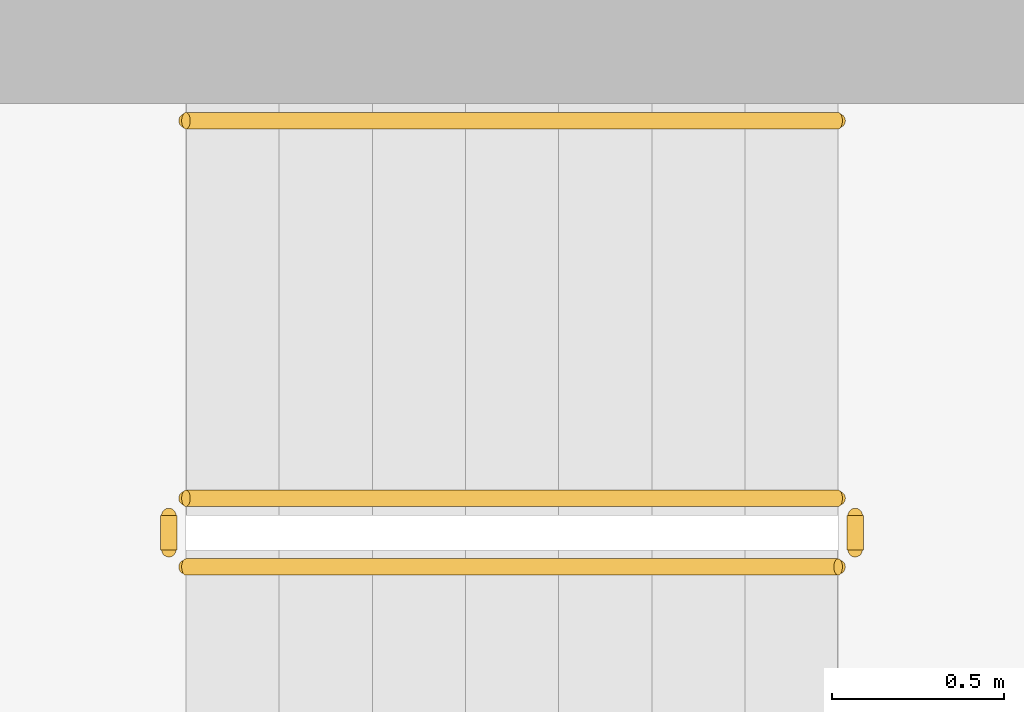
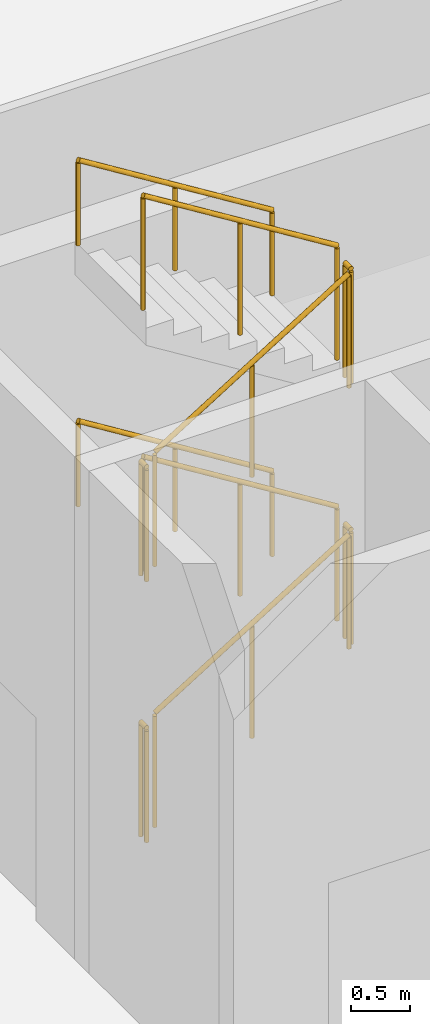
# One storey, part 13 of 16: 10 railings.
"""IFC4 building model written with IfcOpenShell, lengths in metres."""

from ifc_helpers import new_model, si_unit, direction, frame, origin, origin_2d, place, context, subcontext, project, spatial, circle, extrude, material, type_object, element, save


model = new_model("IFC4")

# Units and contexts
model_context = context("Model", 3, precision=1e-05, world=origin(), true_north=direction((0.0, 1.0)))
body_context = subcontext(model_context, "Body", "Model", "MODEL_VIEW")
ifc_project = project(units=[si_unit("LENGTHUNIT", "METRE"), si_unit("AREAUNIT", "SQUARE_METRE"), si_unit("VOLUMEUNIT", "CUBIC_METRE"), si_unit("PLANEANGLEUNIT", "RADIAN"), si_unit("MASSUNIT", "GRAM", prefix="KILO")], contexts=[model_context])

# Site, building, storey
site_placement = place(None, origin())
site = spatial("IfcSite", under=ifc_project, at=site_placement, CompositionType="ELEMENT")
building_placement = place(site_placement, origin())
building = spatial("IfcBuilding", under=site, at=building_placement, Name="Sahrelin Media Tower", CompositionType="ELEMENT")
storey_placement = place(building_placement, frame((0.0, 0.0, 324.39990234375)))
storey = spatial("IfcBuildingStorey", under=building, at=storey_placement, Name="L72", CompositionType="ELEMENT", Elevation=324.39990234375)

# Railings
ifc_material = material(Name="Steel S355", Category="steel")
railing_type_1 = type_object("IfcRailingType", Name="Stair guard 1200", PredefinedType="GUARDRAIL", material=ifc_material)
railing_1_placement = place(storey_placement, frame((-7.675048828125, 5.25, 0.1689453125)))
element("IfcRailing", 1, at=railing_1_placement, inside=storey, type_object=railing_type_1, Name="L72 ST1 stair guard 1", PredefinedType="GUARDRAIL", context=body_context, shape_type="SweptSolid", body=[
    extrude(circle(Radius=0.02392578125, at=origin_2d()), frame((0.0, 0.0, 1.17578125), z_axis=(0.849289292259, 0.0, 0.527927739425), x_axis=(0.0, 1.0, 0.0)), (0.0, 0.0, 1.0), 2.2373046875),
    extrude(circle(Radius=0.02099609375, at=origin_2d()), origin(), (0.0, 0.0, 1.0), 1.15185546875),
    extrude(circle(Radius=0.02099609375, at=origin_2d()), frame((0.9501953125, 0.0, 0.590576171875)), (0.0, 0.0, 1.0), 1.15185546875),
    extrude(circle(Radius=0.02099609375, at=origin_2d()), frame((1.900146484375, 0.0, 1.18115234375)), (0.0, 0.0, 1.0), 1.15185546875),
])
railing_2_placement = place(storey_placement, frame((-5.72509765625, 5.300048828125, 1.35009765625)))
element("IfcRailing", 2, at=railing_2_placement, inside=storey, type_object=railing_type_1, Name="L72 ST1 stair guard 2", PredefinedType="GUARDRAIL", context=body_context, shape_type="SweptSolid", body=[
    extrude(circle(Radius=0.02392578125, at=origin_2d()), frame((0.0, 0.0, 1.17578125), z_axis=(0.0, 1.0, 0.0), x_axis=(-1.0, 0.0, 0.0)), (0.0, 0.0, 1.0), 0.099853515625),
    extrude(circle(Radius=0.02099609375, at=origin_2d()), origin(), (0.0, 0.0, 1.0), 1.15185546875),
    extrude(circle(Radius=0.02099609375, at=origin_2d()), frame((0.0, 0.099853515625, 0.0)), (0.0, 0.0, 1.0), 1.15185546875),
])
railing_3_placement = place(storey_placement, frame((-5.77490234375, 5.449951171875, 1.518798828125)))
element("IfcRailing", 3, at=railing_3_placement, inside=storey, type_object=railing_type_1, Name="L72 ST1 stair guard 3", PredefinedType="GUARDRAIL", context=body_context, shape_type="SweptSolid", body=[
    extrude(circle(Radius=0.02392578125, at=origin_2d()), frame((0.0, 0.0, 1.17578125), z_axis=(-0.849240365539, 0.0, 0.528006440812), x_axis=(0.0, -1.0, 0.0)), (0.0, 0.0, 1.0), 2.237548828125),
    extrude(circle(Radius=0.02099609375, at=origin_2d()), origin(), (0.0, 0.0, 1.0), 1.15185546875),
    extrude(circle(Radius=0.02099609375, at=origin_2d()), frame((-0.9501953125, 0.0, 0.5908203125)), (0.0, 0.0, 1.0), 1.15185546875),
    extrude(circle(Radius=0.02099609375, at=origin_2d()), frame((-1.900146484375, 0.0, 1.181396484375)), (0.0, 0.0, 1.0), 1.15185546875),
])
railing_4_placement = place(storey_placement, frame((-7.72509765625, 5.300048828125, 2.7001953125)))
element("IfcRailing", 4, at=railing_4_placement, inside=storey, type_object=railing_type_1, Name="L72 ST1 stair guard 4", PredefinedType="GUARDRAIL", context=body_context, shape_type="SweptSolid", body=[
    extrude(circle(Radius=0.02392578125, at=origin_2d()), frame((0.0, 0.0, 1.17578125), z_axis=(0.0, 1.0, 0.0), x_axis=(-1.0, 0.0, 0.0)), (0.0, 0.0, 1.0), 0.099853515625),
    extrude(circle(Radius=0.02099609375, at=origin_2d()), origin(), (0.0, 0.0, 1.0), 1.15185546875),
    extrude(circle(Radius=0.02099609375, at=origin_2d()), frame((0.0, 0.099853515625, 0.0)), (0.0, 0.0, 1.0), 1.15185546875),
])
railing_5_placement = place(storey_placement, frame((-7.675048828125, 5.25, 2.868896484375)))
element("IfcRailing", 5, at=railing_5_placement, inside=storey, type_object=railing_type_1, Name="L72 ST1 stair guard 5", PredefinedType="GUARDRAIL", context=body_context, shape_type="SweptSolid", body=[
    extrude(circle(Radius=0.02392578125, at=origin_2d()), frame((0.0, 0.0, 1.17578125), z_axis=(0.849289292259, 0.0, 0.527927739425), x_axis=(0.0, 1.0, 0.0)), (0.0, 0.0, 1.0), 2.2373046875),
    extrude(circle(Radius=0.02099609375, at=origin_2d()), origin(), (0.0, 0.0, 1.0), 1.15185546875),
    extrude(circle(Radius=0.02099609375, at=origin_2d()), frame((0.9501953125, 0.0, 0.590576171875)), (0.0, 0.0, 1.0), 1.15185546875),
    extrude(circle(Radius=0.02099609375, at=origin_2d()), frame((1.900146484375, 0.0, 1.18115234375)), (0.0, 0.0, 1.0), 1.15185546875),
])
railing_6_placement = place(storey_placement, frame((-5.72509765625, 5.300048828125, 4.050048828125)))
element("IfcRailing", 6, at=railing_6_placement, inside=storey, type_object=railing_type_1, Name="L72 ST1 stair guard 6", PredefinedType="GUARDRAIL", context=body_context, shape_type="SweptSolid", body=[
    extrude(circle(Radius=0.02392578125, at=origin_2d()), frame((0.0, 0.0, 1.17578125), z_axis=(0.0, 1.0, 0.0), x_axis=(-1.0, 0.0, 0.0)), (0.0, 0.0, 1.0), 0.099853515625),
    extrude(circle(Radius=0.02099609375, at=origin_2d()), origin(), (0.0, 0.0, 1.0), 1.15185546875),
    extrude(circle(Radius=0.02099609375, at=origin_2d()), frame((0.0, 0.099853515625, 0.0)), (0.0, 0.0, 1.0), 1.15185546875),
])
railing_7_placement = place(storey_placement, frame((-5.77490234375, 5.449951171875, 4.21875)))
element("IfcRailing", 7, at=railing_7_placement, inside=storey, type_object=railing_type_1, Name="L72 ST1 stair guard 7", PredefinedType="GUARDRAIL", context=body_context, shape_type="SweptSolid", body=[
    extrude(circle(Radius=0.02392578125, at=origin_2d()), frame((0.0, 0.0, 1.17578125), z_axis=(-0.849240365539, 0.0, 0.528006440812), x_axis=(0.0, -1.0, 0.0)), (0.0, 0.0, 1.0), 2.237548828125),
    extrude(circle(Radius=0.02099609375, at=origin_2d()), origin(), (0.0, 0.0, 1.0), 1.15185546875),
    extrude(circle(Radius=0.02099609375, at=origin_2d()), frame((-0.9501953125, 0.0, 0.5908203125)), (0.0, 0.0, 1.0), 1.15185546875),
    extrude(circle(Radius=0.02099609375, at=origin_2d()), frame((-1.900146484375, 0.0, 1.181396484375)), (0.0, 0.0, 1.0), 1.15185546875),
])
railing_8_placement = place(storey_placement, frame((-7.72509765625, 5.300048828125, 0.0)))
element("IfcRailing", 8, at=railing_8_placement, inside=storey, type_object=railing_type_1, Name="L72 ST1 stair guard 8", PredefinedType="GUARDRAIL", context=body_context, shape_type="SweptSolid", body=[
    extrude(circle(Radius=0.02392578125, at=origin_2d()), frame((0.0, 0.0, 1.17578125), z_axis=(0.0, 1.0, 0.0), x_axis=(-1.0, 0.0, 0.0)), (0.0, 0.0, 1.0), 0.099853515625),
    extrude(circle(Radius=0.02099609375, at=origin_2d()), origin(), (0.0, 0.0, 1.0), 1.15185546875),
    extrude(circle(Radius=0.02099609375, at=origin_2d()), frame((0.0, 0.099853515625, 0.0)), (0.0, 0.0, 1.0), 1.15185546875),
])
railing_type_2 = type_object("IfcRailingType", Name="Stair handrail 900", PredefinedType="HANDRAIL", material=ifc_material)
for number, where, name in (
    (9, (-5.77490234375, 6.550048828125, 1.518798828125), "L72 ST1 stair handrail 2"),
    (10, (-5.77490234375, 6.550048828125, 4.21875), "L72 ST1 stair handrail 4"),
):
    element("IfcRailing", number, at=place(storey_placement, frame(where)), inside=storey, type_object=railing_type_2, Name=name, PredefinedType="HANDRAIL", context=body_context, shape_type="SweptSolid", body=[
        extrude(circle(Radius=0.02392578125, at=origin_2d()), frame((0.0, 0.0, 0.8759765625), z_axis=(-0.849240365539, 0.0, 0.528006440812), x_axis=(0.0, -1.0, 0.0)), (0.0, 0.0, 1.0), 2.237548828125),
        extrude(circle(Radius=0.02099609375, at=origin_2d()), origin(), (0.0, 0.0, 1.0), 0.851806640625),
        extrude(circle(Radius=0.02099609375, at=origin_2d()), frame((-0.9501953125, 0.0, 0.5908203125)), (0.0, 0.0, 1.0), 0.851806640625),
        extrude(circle(Radius=0.02099609375, at=origin_2d()), frame((-1.900146484375, 0.0, 1.181396484375)), (0.0, 0.0, 1.0), 0.851806640625),
    ])

save(model, "model.ifc")
